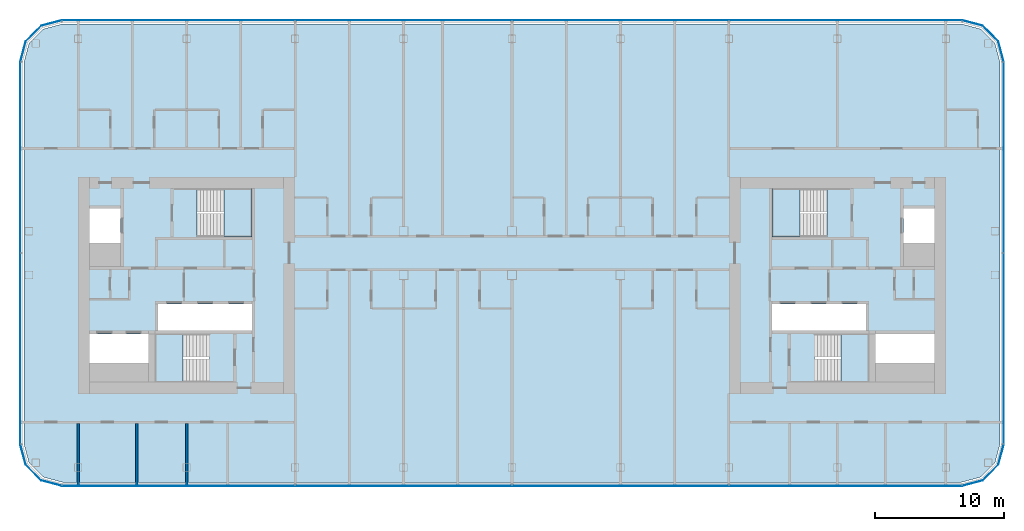
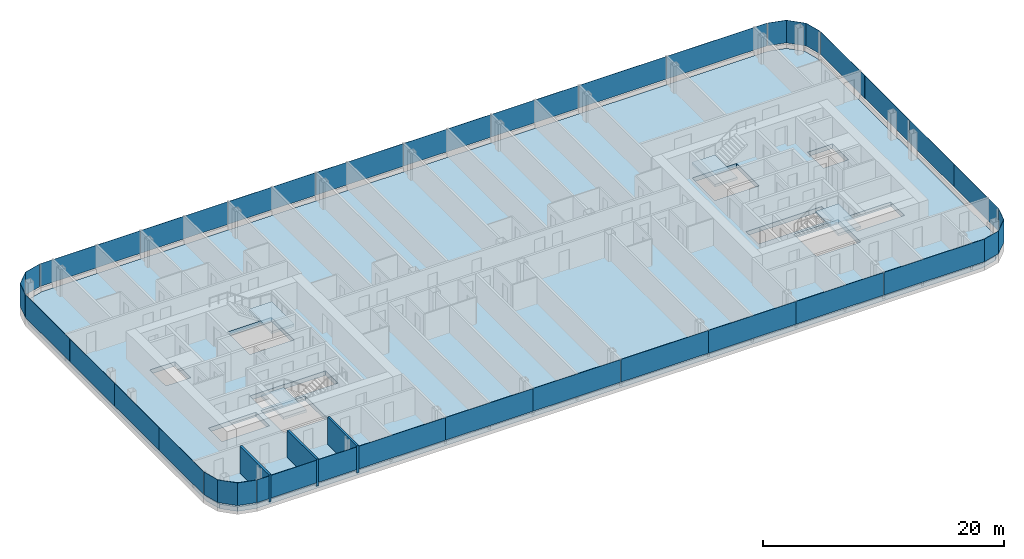
# One storey, part 12 of 26: 28 plates, 5 slabs, 3 walls, 12 elements without a shape of their own.
"""IFC4 building model written with IfcOpenShell, lengths in metres."""

from ifc_helpers import new_model, si_unit, direction, frame, frame_2d, origin, origin_2d, place, context, subcontext, project, spatial, polyline, rectangle, outline, extrude, material, layer, layer_set, type_object, element, aggregate, save


model = new_model("IFC4")

# Units and contexts
model_context = context("Model", 3, precision=1e-05, world=origin(), true_north=direction((0.0, 1.0)))
body_context = subcontext(model_context, "Body", "Model", "MODEL_VIEW")
ifc_project = project(units=[si_unit("LENGTHUNIT", "METRE"), si_unit("AREAUNIT", "SQUARE_METRE"), si_unit("VOLUMEUNIT", "CUBIC_METRE"), si_unit("PLANEANGLEUNIT", "RADIAN"), si_unit("MASSUNIT", "GRAM", prefix="KILO")], contexts=[model_context])

# Site, building, storey
site_placement = place(None, origin())
site = spatial("IfcSite", under=ifc_project, at=site_placement, CompositionType="ELEMENT")
building_placement = place(site_placement, origin())
building = spatial("IfcBuilding", under=site, at=building_placement, Name="Hakoniwa Tower and Hamabe Station Hall", CompositionType="ELEMENT")
storey_placement = place(building_placement, frame((0.0, 0.0, 221.800048828125)))
storey = spatial("IfcBuildingStorey", under=building, at=storey_placement, Name="L63", CompositionType="ELEMENT", Elevation=221.800048828125)

# Stair, slab
ifc_material_1 = material(Name="Concrete C40", Category="concrete")
stair_type = type_object("IfcStairType", Name="ESCAPE STAIR 1800", PredefinedType="HALF_TURN_STAIR", material=ifc_material_1)
stair_1_placement = place(storey_placement, origin())
stair_1 = element("IfcStair", 1, at=stair_1_placement, inside=storey, type_object=stair_type, Name="Escape stair ST-1 L63", PredefinedType="HALF_TURN_STAIR")
ifc_material_2 = material(Name="Concrete C40", Category="concrete")
ifc_layer_1 = layer(ifc_material_2, 0.25)
ifc_layer_set_1 = layer_set([ifc_layer_1], Name="CORE STAIR LANDING 250")
slab_type_1 = type_object("IfcSlabType", Name="CORE STAIR LANDING 250", PredefinedType="LANDING", material=ifc_layer_set_1)
slab_1_placement = place(storey_placement, frame((0.0, 0.0, 1.349853515625)))
slab_1 = element("IfcSlab", 2, at=slab_1_placement, type_object=slab_type_1, Name="ST-1 landing 1", PredefinedType="LANDING", context=body_context, shape_type="SweptSolid", body=[
    extrude(outline(polyline([(-22.320068359375, 3.75), (-20.14990234375, 3.75), (-20.14990234375, 7.5), (-22.320068359375, 7.5), (-22.320068359375, 3.75)])), origin(), (0.0, 0.0, 1.0), 0.25),
])
aggregate(stair_1, [slab_1])

stair_2_placement = place(storey_placement, origin())
stair_2 = element("IfcStair", 3, at=stair_2_placement, inside=storey, type_object=stair_type, Name="Escape stair ST-2 L63", PredefinedType="HALF_TURN_STAIR")
slab_2_placement = place(storey_placement, frame((0.0, 0.0, 1.349853515625)))
slab_2 = element("IfcSlab", 4, at=slab_2_placement, type_object=slab_type_1, Name="ST-2 landing 1", PredefinedType="LANDING", context=body_context, shape_type="SweptSolid", body=[
    extrude(outline(polyline([(-25.47998046875, -7.5), (-27.64990234375, -7.5), (-27.64990234375, -3.75), (-25.47998046875, -3.75), (-25.47998046875, -7.5)])), origin(), (0.0, 0.0, 1.0), 0.25),
])
aggregate(stair_2, [slab_2])

stair_3_placement = place(storey_placement, origin())
stair_3 = element("IfcStair", 5, at=stair_3_placement, inside=storey, type_object=stair_type, Name="Escape stair ST-3 L63", PredefinedType="HALF_TURN_STAIR")
slab_3_placement = place(storey_placement, frame((0.0, 0.0, 1.349853515625)))
slab_3 = element("IfcSlab", 6, at=slab_3_placement, type_object=slab_type_1, Name="ST-3 landing 1", PredefinedType="LANDING", context=body_context, shape_type="SweptSolid", body=[
    extrude(outline(polyline([(22.320068359375, 3.75), (20.14990234375, 3.75), (20.14990234375, 7.5), (22.320068359375, 7.5), (22.320068359375, 3.75)])), origin(), (0.0, 0.0, 1.0), 0.25),
])
aggregate(stair_3, [slab_3])

stair_4_placement = place(storey_placement, origin())
stair_4 = element("IfcStair", 7, at=stair_4_placement, inside=storey, type_object=stair_type, Name="Escape stair ST-4 L63", PredefinedType="HALF_TURN_STAIR")
slab_4_placement = place(storey_placement, frame((0.0, 0.0, 1.349853515625)))
slab_4 = element("IfcSlab", 8, at=slab_4_placement, type_object=slab_type_1, Name="ST-4 landing 1", PredefinedType="LANDING", context=body_context, shape_type="SweptSolid", body=[
    extrude(outline(polyline([(25.47998046875, -7.5), (27.64990234375, -7.5), (27.64990234375, -3.75), (25.47998046875, -3.75), (25.47998046875, -7.5)])), origin(), (0.0, 0.0, 1.0), 0.25),
])
aggregate(stair_4, [slab_4])

# Curtain wall, plates
ifc_material_3 = material(Name="Dark low-e laminated glass", Category="glass")
ifc_layer_2 = layer(ifc_material_3, 0.199951171875)
ifc_layer_set_2 = layer_set([ifc_layer_2], Name="CW-1 UNITISED GUEST")
curtain_wall_type = type_object("IfcCurtainWallType", Name="CW-1 UNITISED GUEST", PredefinedType="NOTDEFINED", material=ifc_layer_set_2)
curtain_wall_1_placement = place(storey_placement, origin())
curtain_wall_1 = element("IfcCurtainWall", 9, at=curtain_wall_1_placement, inside=storey, type_object=curtain_wall_type, Name="CW-1 curtain wall", PredefinedType="NOTDEFINED")
ifc_material_4 = material(Name="Dark low-e laminated glass", Category="glass")
ifc_layer_3 = layer(ifc_material_4, 0.028076171875)
ifc_layer_set_3 = layer_set([ifc_layer_3], Name="CW-1 GLASS UNIT")
plate_type = type_object("IfcPlateType", Name="CW-1 GLASS UNIT", PredefinedType="CURTAIN_PANEL", material=ifc_layer_set_3)
plate_1_placement = place(storey_placement, frame((38.0859375, -8.592041015625, 0.35009765625), z_axis=(0.0, 0.0, 1.0), x_axis=(0.0, 1.0, 0.0)))
plate_1 = element("IfcPlate", 10, at=plate_1_placement, type_object=plate_type, Name="CW-1 glass unit", PredefinedType="CURTAIN_PANEL", context=body_context, shape_type="SweptSolid", body=[
    extrude(rectangle(XDim=7.374755859375, YDim=0.028076171875, at=origin_2d()), origin(), (0.0, 0.0, 1.0), 2.300048828125),
])
plate_2_placement = place(storey_placement, frame((38.0859375, -1.197265625, 0.35009765625), z_axis=(0.0, 0.0, 1.0), x_axis=(0.0, 1.0, 0.0)))
plate_2 = element("IfcPlate", 11, at=plate_2_placement, type_object=plate_type, Name="CW-1 glass unit", PredefinedType="CURTAIN_PANEL", context=body_context, shape_type="SweptSolid", body=[
    extrude(rectangle(XDim=7.374755859375, YDim=0.028076171875, at=origin_2d()), origin(), (0.0, 0.0, 1.0), 2.300048828125),
])
plate_3_placement = place(storey_placement, frame((38.0859375, 6.197265625, 0.35009765625), z_axis=(0.0, 0.0, 1.0), x_axis=(0.0, 1.0, 0.0)))
plate_3 = element("IfcPlate", 12, at=plate_3_placement, type_object=plate_type, Name="CW-1 glass unit", PredefinedType="CURTAIN_PANEL", context=body_context, shape_type="SweptSolid", body=[
    extrude(rectangle(XDim=7.374755859375, YDim=0.028076171875, at=origin_2d()), origin(), (0.0, 0.0, 1.0), 2.300048828125),
])
plate_4_placement = place(storey_placement, frame((38.0859375, 13.592041015625, 0.35009765625), z_axis=(0.0, 0.0, 1.0), x_axis=(0.0, 1.0, 0.0)))
plate_4 = element("IfcPlate", 13, at=plate_4_placement, type_object=plate_type, Name="CW-1 glass unit", PredefinedType="CURTAIN_PANEL", context=body_context, shape_type="SweptSolid", body=[
    extrude(rectangle(XDim=7.374755859375, YDim=0.028076171875, at=origin_2d()), origin(), (0.0, 0.0, 1.0), 2.300048828125),
])
aggregate(curtain_wall_1, [plate_1, plate_2, plate_3, plate_4])

# Curtain wall, plate
curtain_wall_2_placement = place(storey_placement, origin())
curtain_wall_2 = element("IfcCurtainWall", 14, at=curtain_wall_2_placement, inside=storey, type_object=curtain_wall_type, Name="CW-1 curtain wall", PredefinedType="NOTDEFINED")
plate_5_placement = place(storey_placement, frame((0.0, 0.0, 0.349853515625)))
plate_5 = element("IfcPlate", 15, at=plate_5_placement, type_object=plate_type, Name="CW-1 curved corner unit", PredefinedType="CURTAIN_PANEL", context=body_context, shape_type="SweptSolid", body=[
    extrude(outline(polyline([(38.089599609375, 17.328125), (37.6669921875, 18.9052734375), (36.455322265625, 20.116943359375), (34.878173828125, 20.53955078125), (34.870849609375, 20.5126953125), (36.44091796875, 20.092041015625), (37.641845703125, 18.890869140625), (38.0625, 17.32080078125), (38.089599609375, 17.328125)])), origin(), (0.0, 0.0, 1.0), 2.300048828125),
])
aggregate(curtain_wall_2, [plate_5])

# Curtain wall, plates
curtain_wall_3_placement = place(storey_placement, origin())
curtain_wall_3 = element("IfcCurtainWall", 16, at=curtain_wall_3_placement, inside=storey, type_object=curtain_wall_type, Name="CW-1 curtain wall", PredefinedType="NOTDEFINED")
plate_6_placement = place(storey_placement, frame((30.019775390625, 20.535888671875, 0.35009765625), z_axis=(0.0, 0.0, 1.0), x_axis=(-1.0, 0.0, 0.0)))
plate_6 = element("IfcPlate", 17, at=plate_6_placement, type_object=plate_type, Name="CW-1 glass unit", PredefinedType="CURTAIN_PANEL", context=body_context, shape_type="SweptSolid", body=[
    extrude(rectangle(XDim=9.619384765625, YDim=0.028076171875, at=origin_2d()), origin(), (0.0, 0.0, 1.0), 2.300048828125),
])
plate_7_placement = place(storey_placement, frame((21.0, 20.535888671875, 0.35009765625), z_axis=(0.0, 0.0, 1.0), x_axis=(-1.0, 0.0, 0.0)))
plate_7 = element("IfcPlate", 18, at=plate_7_placement, type_object=plate_type, Name="CW-1 glass unit", PredefinedType="CURTAIN_PANEL", context=body_context, shape_type="SweptSolid", body=[
    extrude(rectangle(XDim=8.3798828125, YDim=0.028076171875, at=origin_2d()), origin(), (0.0, 0.0, 1.0), 2.300048828125),
])
plate_8_placement = place(storey_placement, frame((12.60009765625, 20.535888671875, 0.35009765625), z_axis=(0.0, 0.0, 1.0), x_axis=(-1.0, 0.0, 0.0)))
plate_8 = element("IfcPlate", 19, at=plate_8_placement, type_object=plate_type, Name="CW-1 glass unit", PredefinedType="CURTAIN_PANEL", context=body_context, shape_type="SweptSolid", body=[
    extrude(rectangle(XDim=8.3798828125, YDim=0.028076171875, at=origin_2d()), origin(), (0.0, 0.0, 1.0), 2.300048828125),
])
plate_9_placement = place(storey_placement, frame((4.199951171875, 20.535888671875, 0.35009765625), z_axis=(0.0, 0.0, 1.0), x_axis=(-1.0, 0.0, 0.0)))
plate_9 = element("IfcPlate", 20, at=plate_9_placement, type_object=plate_type, Name="CW-1 glass unit", PredefinedType="CURTAIN_PANEL", context=body_context, shape_type="SweptSolid", body=[
    extrude(rectangle(XDim=8.3798828125, YDim=0.028076171875, at=origin_2d()), origin(), (0.0, 0.0, 1.0), 2.300048828125),
])
plate_10_placement = place(storey_placement, frame((-4.199951171875, 20.535888671875, 0.35009765625), z_axis=(0.0, 0.0, 1.0), x_axis=(-1.0, 0.0, 0.0)))
plate_10 = element("IfcPlate", 21, at=plate_10_placement, type_object=plate_type, Name="CW-1 glass unit", PredefinedType="CURTAIN_PANEL", context=body_context, shape_type="SweptSolid", body=[
    extrude(rectangle(XDim=8.3798828125, YDim=0.028076171875, at=origin_2d()), origin(), (0.0, 0.0, 1.0), 2.300048828125),
])
plate_11_placement = place(storey_placement, frame((-12.60009765625, 20.535888671875, 0.35009765625), z_axis=(0.0, 0.0, 1.0), x_axis=(-1.0, 0.0, 0.0)))
plate_11 = element("IfcPlate", 22, at=plate_11_placement, type_object=plate_type, Name="CW-1 glass unit", PredefinedType="CURTAIN_PANEL", context=body_context, shape_type="SweptSolid", body=[
    extrude(rectangle(XDim=8.3798828125, YDim=0.028076171875, at=origin_2d()), origin(), (0.0, 0.0, 1.0), 2.300048828125),
])
plate_12_placement = place(storey_placement, frame((-21.0, 20.535888671875, 0.35009765625), z_axis=(0.0, 0.0, 1.0), x_axis=(-1.0, 0.0, 0.0)))
plate_12 = element("IfcPlate", 23, at=plate_12_placement, type_object=plate_type, Name="CW-1 glass unit", PredefinedType="CURTAIN_PANEL", context=body_context, shape_type="SweptSolid", body=[
    extrude(rectangle(XDim=8.3798828125, YDim=0.028076171875, at=origin_2d()), origin(), (0.0, 0.0, 1.0), 2.300048828125),
])
plate_13_placement = place(storey_placement, frame((-30.019775390625, 20.535888671875, 0.35009765625), z_axis=(0.0, 0.0, 1.0), x_axis=(-1.0, 0.0, 0.0)))
plate_13 = element("IfcPlate", 24, at=plate_13_placement, type_object=plate_type, Name="CW-1 glass unit", PredefinedType="CURTAIN_PANEL", context=body_context, shape_type="SweptSolid", body=[
    extrude(rectangle(XDim=9.619384765625, YDim=0.028076171875, at=origin_2d()), origin(), (0.0, 0.0, 1.0), 2.300048828125),
])
aggregate(curtain_wall_3, [plate_6, plate_7, plate_8, plate_9, plate_10, plate_11, plate_12, plate_13])

# Curtain wall, plate
curtain_wall_4_placement = place(storey_placement, origin())
curtain_wall_4 = element("IfcCurtainWall", 25, at=curtain_wall_4_placement, inside=storey, type_object=curtain_wall_type, Name="CW-1 curtain wall", PredefinedType="NOTDEFINED")
plate_14_placement = place(storey_placement, frame((0.0, 0.0, 0.349853515625)))
plate_14 = element("IfcPlate", 26, at=plate_14_placement, type_object=plate_type, Name="CW-1 curved corner unit", PredefinedType="CURTAIN_PANEL", context=body_context, shape_type="SweptSolid", body=[
    extrude(outline(polyline([(-34.878173828125, 20.53955078125), (-36.455322265625, 20.116943359375), (-37.6669921875, 18.9052734375), (-38.089599609375, 17.328125), (-38.0625, 17.32080078125), (-37.641845703125, 18.890869140625), (-36.44091796875, 20.092041015625), (-34.870849609375, 20.5126953125), (-34.878173828125, 20.53955078125)])), origin(), (0.0, 0.0, 1.0), 2.300048828125),
])
aggregate(curtain_wall_4, [plate_14])

# Curtain wall, plates
curtain_wall_5_placement = place(storey_placement, origin())
curtain_wall_5 = element("IfcCurtainWall", 27, at=curtain_wall_5_placement, inside=storey, type_object=curtain_wall_type, Name="CW-1 curtain wall", PredefinedType="NOTDEFINED")
plate_15_placement = place(storey_placement, frame((-38.0859375, 13.592041015625, 0.35009765625), z_axis=(0.0, 0.0, 1.0), x_axis=(0.0, -1.0, 0.0)))
plate_15 = element("IfcPlate", 28, at=plate_15_placement, type_object=plate_type, Name="CW-1 glass unit", PredefinedType="CURTAIN_PANEL", context=body_context, shape_type="SweptSolid", body=[
    extrude(rectangle(XDim=7.374755859375, YDim=0.028076171875, at=origin_2d()), origin(), (0.0, 0.0, 1.0), 2.300048828125),
])
plate_16_placement = place(storey_placement, frame((-38.0859375, 6.197265625, 0.35009765625), z_axis=(0.0, 0.0, 1.0), x_axis=(0.0, -1.0, 0.0)))
plate_16 = element("IfcPlate", 29, at=plate_16_placement, type_object=plate_type, Name="CW-1 glass unit", PredefinedType="CURTAIN_PANEL", context=body_context, shape_type="SweptSolid", body=[
    extrude(rectangle(XDim=7.374755859375, YDim=0.028076171875, at=origin_2d()), origin(), (0.0, 0.0, 1.0), 2.300048828125),
])
plate_17_placement = place(storey_placement, frame((-38.0859375, -1.197265625, 0.35009765625), z_axis=(0.0, 0.0, 1.0), x_axis=(0.0, -1.0, 0.0)))
plate_17 = element("IfcPlate", 30, at=plate_17_placement, type_object=plate_type, Name="CW-1 glass unit", PredefinedType="CURTAIN_PANEL", context=body_context, shape_type="SweptSolid", body=[
    extrude(rectangle(XDim=7.374755859375, YDim=0.028076171875, at=origin_2d()), origin(), (0.0, 0.0, 1.0), 2.300048828125),
])
plate_18_placement = place(storey_placement, frame((-38.0859375, -8.592041015625, 0.35009765625), z_axis=(0.0, 0.0, 1.0), x_axis=(0.0, -1.0, 0.0)))
plate_18 = element("IfcPlate", 31, at=plate_18_placement, type_object=plate_type, Name="CW-1 glass unit", PredefinedType="CURTAIN_PANEL", context=body_context, shape_type="SweptSolid", body=[
    extrude(rectangle(XDim=7.374755859375, YDim=0.028076171875, at=origin_2d()), origin(), (0.0, 0.0, 1.0), 2.300048828125),
])
aggregate(curtain_wall_5, [plate_15, plate_16, plate_17, plate_18])

# Curtain wall, plate
curtain_wall_6_placement = place(storey_placement, origin())
curtain_wall_6 = element("IfcCurtainWall", 32, at=curtain_wall_6_placement, inside=storey, type_object=curtain_wall_type, Name="CW-1 curtain wall", PredefinedType="NOTDEFINED")
plate_19_placement = place(storey_placement, frame((0.0, 0.0, 0.349853515625)))
plate_19 = element("IfcPlate", 33, at=plate_19_placement, type_object=plate_type, Name="CW-1 curved corner unit", PredefinedType="CURTAIN_PANEL", context=body_context, shape_type="SweptSolid", body=[
    extrude(outline(polyline([(-38.089599609375, -12.328125), (-37.6669921875, -13.9052734375), (-36.455322265625, -15.116943359375), (-34.878173828125, -15.53955078125), (-34.870849609375, -15.5126953125), (-36.44091796875, -15.092041015625), (-37.641845703125, -13.890869140625), (-38.0625, -12.32080078125), (-38.089599609375, -12.328125)])), origin(), (0.0, 0.0, 1.0), 2.300048828125),
])
aggregate(curtain_wall_6, [plate_19])

# Curtain wall, plates
curtain_wall_7_placement = place(storey_placement, origin())
curtain_wall_7 = element("IfcCurtainWall", 34, at=curtain_wall_7_placement, inside=storey, type_object=curtain_wall_type, Name="CW-1 curtain wall", PredefinedType="NOTDEFINED")
plate_20_placement = place(storey_placement, frame((-30.019775390625, -15.535888671875, 0.35009765625), z_axis=(0.0, 0.0, 1.0), x_axis=(1.0, 0.0, 0.0)))
plate_20 = element("IfcPlate", 35, at=plate_20_placement, type_object=plate_type, Name="CW-1 glass unit", PredefinedType="CURTAIN_PANEL", context=body_context, shape_type="SweptSolid", body=[
    extrude(rectangle(XDim=9.619384765625, YDim=0.028076171875, at=origin_2d()), origin(), (0.0, 0.0, 1.0), 2.300048828125),
])
plate_21_placement = place(storey_placement, frame((-21.0, -15.535888671875, 0.35009765625), z_axis=(0.0, 0.0, 1.0), x_axis=(1.0, 0.0, 0.0)))
plate_21 = element("IfcPlate", 36, at=plate_21_placement, type_object=plate_type, Name="CW-1 glass unit", PredefinedType="CURTAIN_PANEL", context=body_context, shape_type="SweptSolid", body=[
    extrude(rectangle(XDim=8.3798828125, YDim=0.028076171875, at=origin_2d()), origin(), (0.0, 0.0, 1.0), 2.300048828125),
])
plate_22_placement = place(storey_placement, frame((-12.60009765625, -15.535888671875, 0.35009765625), z_axis=(0.0, 0.0, 1.0), x_axis=(1.0, 0.0, 0.0)))
plate_22 = element("IfcPlate", 37, at=plate_22_placement, type_object=plate_type, Name="CW-1 glass unit", PredefinedType="CURTAIN_PANEL", context=body_context, shape_type="SweptSolid", body=[
    extrude(rectangle(XDim=8.3798828125, YDim=0.028076171875, at=origin_2d()), origin(), (0.0, 0.0, 1.0), 2.300048828125),
])
plate_23_placement = place(storey_placement, frame((-4.199951171875, -15.535888671875, 0.35009765625), z_axis=(0.0, 0.0, 1.0), x_axis=(1.0, 0.0, 0.0)))
plate_23 = element("IfcPlate", 38, at=plate_23_placement, type_object=plate_type, Name="CW-1 glass unit", PredefinedType="CURTAIN_PANEL", context=body_context, shape_type="SweptSolid", body=[
    extrude(rectangle(XDim=8.3798828125, YDim=0.028076171875, at=origin_2d()), origin(), (0.0, 0.0, 1.0), 2.300048828125),
])
plate_24_placement = place(storey_placement, frame((4.199951171875, -15.535888671875, 0.35009765625), z_axis=(0.0, 0.0, 1.0), x_axis=(1.0, 0.0, 0.0)))
plate_24 = element("IfcPlate", 39, at=plate_24_placement, type_object=plate_type, Name="CW-1 glass unit", PredefinedType="CURTAIN_PANEL", context=body_context, shape_type="SweptSolid", body=[
    extrude(rectangle(XDim=8.3798828125, YDim=0.028076171875, at=origin_2d()), origin(), (0.0, 0.0, 1.0), 2.300048828125),
])
plate_25_placement = place(storey_placement, frame((12.60009765625, -15.535888671875, 0.35009765625), z_axis=(0.0, 0.0, 1.0), x_axis=(1.0, 0.0, 0.0)))
plate_25 = element("IfcPlate", 40, at=plate_25_placement, type_object=plate_type, Name="CW-1 glass unit", PredefinedType="CURTAIN_PANEL", context=body_context, shape_type="SweptSolid", body=[
    extrude(rectangle(XDim=8.3798828125, YDim=0.028076171875, at=origin_2d()), origin(), (0.0, 0.0, 1.0), 2.300048828125),
])
plate_26_placement = place(storey_placement, frame((21.0, -15.535888671875, 0.35009765625), z_axis=(0.0, 0.0, 1.0), x_axis=(1.0, 0.0, 0.0)))
plate_26 = element("IfcPlate", 41, at=plate_26_placement, type_object=plate_type, Name="CW-1 glass unit", PredefinedType="CURTAIN_PANEL", context=body_context, shape_type="SweptSolid", body=[
    extrude(rectangle(XDim=8.3798828125, YDim=0.028076171875, at=origin_2d()), origin(), (0.0, 0.0, 1.0), 2.300048828125),
])
plate_27_placement = place(storey_placement, frame((30.019775390625, -15.535888671875, 0.35009765625), z_axis=(0.0, 0.0, 1.0), x_axis=(1.0, 0.0, 0.0)))
plate_27 = element("IfcPlate", 42, at=plate_27_placement, type_object=plate_type, Name="CW-1 glass unit", PredefinedType="CURTAIN_PANEL", context=body_context, shape_type="SweptSolid", body=[
    extrude(rectangle(XDim=9.619384765625, YDim=0.028076171875, at=origin_2d()), origin(), (0.0, 0.0, 1.0), 2.300048828125),
])
aggregate(curtain_wall_7, [plate_20, plate_21, plate_22, plate_23, plate_24, plate_25, plate_26, plate_27])

# Curtain wall, plate
curtain_wall_8_placement = place(storey_placement, origin())
curtain_wall_8 = element("IfcCurtainWall", 43, at=curtain_wall_8_placement, inside=storey, type_object=curtain_wall_type, Name="CW-1 curtain wall", PredefinedType="NOTDEFINED")
plate_28_placement = place(storey_placement, frame((0.0, 0.0, 0.349853515625)))
plate_28 = element("IfcPlate", 44, at=plate_28_placement, type_object=plate_type, Name="CW-1 curved corner unit", PredefinedType="CURTAIN_PANEL", context=body_context, shape_type="SweptSolid", body=[
    extrude(outline(polyline([(34.878173828125, -15.53955078125), (36.455322265625, -15.116943359375), (37.6669921875, -13.9052734375), (38.089599609375, -12.328125), (38.0625, -12.32080078125), (37.641845703125, -13.890869140625), (36.44091796875, -15.092041015625), (34.870849609375, -15.5126953125), (34.878173828125, -15.53955078125)])), origin(), (0.0, 0.0, 1.0), 2.300048828125),
])
aggregate(curtain_wall_8, [plate_28])

# Slab
ifc_material_5 = material(Name="Concrete C42", Category="concrete")
ifc_layer_4 = layer(ifc_material_5, 0.449951171875)
ifc_layer_set_4 = layer_set([ifc_layer_4], Name="PT FLAT PLATE 450")
slab_type_2 = type_object("IfcSlabType", Name="PT FLAT PLATE 450", PredefinedType="FLOOR", material=ifc_layer_set_4)
slab_5_placement = place(storey_placement, frame((0.0, 0.0, -0.449951171875)))
element("IfcSlab", 45, at=slab_5_placement, inside=storey, type_object=slab_type_2, Name="Floor slab L63", PredefinedType="FLOOR", context=body_context, shape_type="SweptSolid", body=[
    extrude(outline(polyline([(37.800048828125, -12.25), (37.800048828125, 17.25), (37.398193359375, 18.75), (36.300048828125, 19.84814453125), (34.800048828125, 20.25), (-34.800048828125, 20.25), (-36.300048828125, 19.84814453125), (-37.398193359375, 18.75), (-37.800048828125, 17.25), (-37.800048828125, -12.25), (-37.398193359375, -13.75), (-36.300048828125, -14.84814453125), (-34.800048828125, -15.25), (34.800048828125, -15.25), (36.300048828125, -14.84814453125), (37.398193359375, -13.75), (37.800048828125, -12.25)]), holes=[polyline([(-27.39990234375, -3.5), (-27.39990234375, -1.449951171875), (-20.14990234375, -1.449951171875), (-20.14990234375, -3.5), (-27.39990234375, -3.5)]), polyline([(-32.699951171875, 3.300048828125), (-32.699951171875, 5.949951171875), (-30.300048828125, 5.949951171875), (-30.300048828125, 3.300048828125), (-32.699951171875, 3.300048828125)]), polyline([(-32.699951171875, -6.0), (-32.699951171875, -3.75), (-28.14990234375, -3.75), (-28.14990234375, -6.0), (-32.699951171875, -6.0)]), polyline([(-24.389892578125, 3.75), (-24.389892578125, 7.5), (-20.14990234375, 7.5), (-20.14990234375, 3.75), (-24.389892578125, 3.75)]), polyline([(-27.64990234375, -7.5), (-27.64990234375, -3.75), (-23.409912109375, -3.75), (-23.409912109375, -7.5), (-27.64990234375, -7.5)]), polyline([(20.14990234375, -3.5), (20.14990234375, -1.449951171875), (27.39990234375, -1.449951171875), (27.39990234375, -3.5), (20.14990234375, -3.5)]), polyline([(30.300048828125, 3.300048828125), (30.300048828125, 5.949951171875), (32.699951171875, 5.949951171875), (32.699951171875, 3.300048828125), (30.300048828125, 3.300048828125)]), polyline([(28.14990234375, -6.0), (28.14990234375, -3.75), (32.699951171875, -3.75), (32.699951171875, -6.0), (28.14990234375, -6.0)]), polyline([(20.14990234375, 3.75), (20.14990234375, 7.5), (24.389892578125, 7.5), (24.389892578125, 3.75), (20.14990234375, 3.75)]), polyline([(23.409912109375, -7.5), (23.409912109375, -3.75), (27.64990234375, -3.75), (27.64990234375, -7.5), (23.409912109375, -7.5)])]), origin(), (0.0, 0.0, 1.0), 0.449951171875),
])

# Walls
ifc_material_6 = material(Name="Fire-rated gypsum board partition", Category="gypsum")
ifc_layer_5 = layer(ifc_material_6, 0.199951171875)
ifc_layer_set_5 = layer_set([ifc_layer_5], Name="Party Wall 200")
wall_type = type_object("IfcWallType", Name="Party Wall 200", PredefinedType="PARTITIONING", material=ifc_layer_set_5)
for number, where, z_axis, x_axis, name in (
    (46, (-33.60009765625, -15.550048828125, 0.0), (0.0, 0.0, 1.0), (0.0, 1.0, 0.0), "GW-L63-021"),
    (47, (-29.06005859375, -15.550048828125, 0.0), (0.0, 0.0, 1.0), (0.0, 1.0, 0.0), "GW-L63-025"),
    (48, (-25.199951171875, -15.550048828125, 0.0), (0.0, 0.0, 1.0), (0.0, 1.0, 0.0), "GW-L63-027"),
):
    element("IfcWall", number, at=place(storey_placement, frame(where, z_axis=z_axis, x_axis=x_axis)), inside=storey, type_object=wall_type, Name=name, PredefinedType="PARTITIONING", context=body_context, shape_type="SweptSolid", body=[
        extrude(rectangle(XDim=4.85009765625, YDim=0.199951171875, at=frame_2d((2.425048828125, 0.0))), origin(), (0.0, 0.0, 1.0), 2.75),
    ])

save(model, "model.ifc")
